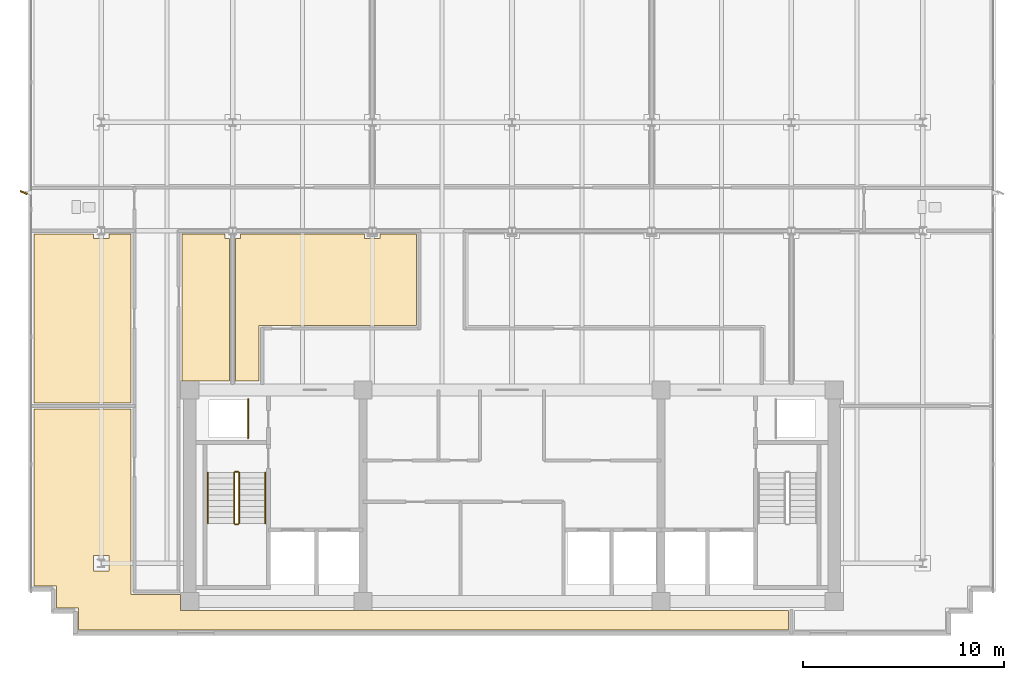
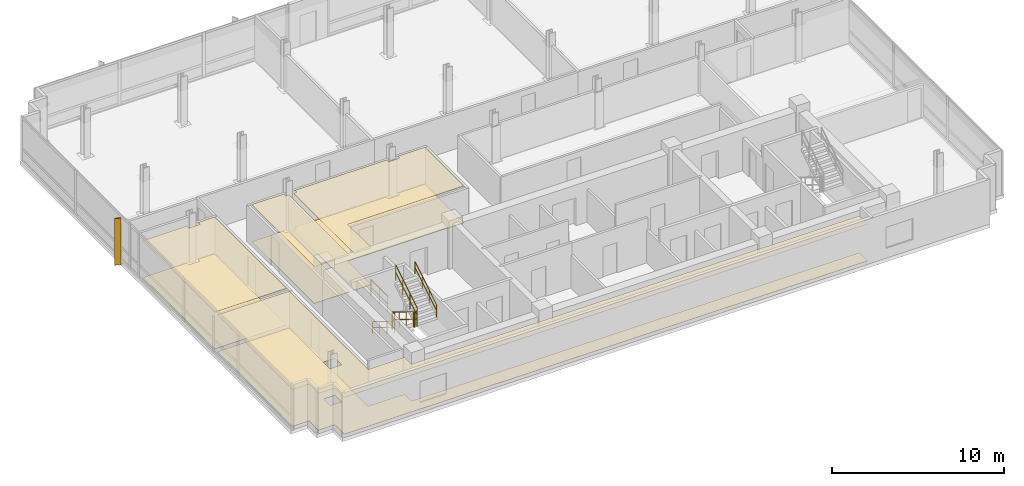
# One storey, part 11 of 15: 8 coverings, 7 railings, 1 shading device.
"""IFC4 building model written with IfcOpenShell, lengths in metres."""

from ifc_helpers import new_model, si_unit, direction, frame, origin, origin_2d, place, context, subcontext, project, spatial, polyline, rectangle, circle, outline, extrude, material, layer, layer_set, type_object, element, save


model = new_model("IFC4")

# Units and contexts
model_context = context("Model", 3, precision=1e-05, world=origin(), true_north=direction((0.0, 1.0)))
body_context = subcontext(model_context, "Body", "Model", "MODEL_VIEW")
ifc_project = project(units=[si_unit("LENGTHUNIT", "METRE"), si_unit("AREAUNIT", "SQUARE_METRE"), si_unit("VOLUMEUNIT", "CUBIC_METRE"), si_unit("PLANEANGLEUNIT", "RADIAN"), si_unit("MASSUNIT", "GRAM", prefix="KILO")], contexts=[model_context])

# Site, building, storey
site_placement = place(None, origin())
site = spatial("IfcSite", under=ifc_project, at=site_placement, CompositionType="ELEMENT")
building_placement = place(site_placement, origin())
building = spatial("IfcBuilding", under=site, at=building_placement, Name="Solmavex Isthmus Hotel", CompositionType="ELEMENT")
storey_placement = place(building_placement, frame((0.0, 0.0, 273.0)))
storey = spatial("IfcBuildingStorey", under=building, at=storey_placement, Name="L74", CompositionType="ELEMENT", Elevation=273.0)

# Coverings
ifc_material_1 = material(Name="Gypsum plasterboard lining", Category="gypsum")
ifc_layer_1 = layer(ifc_material_1, 0.030029296875)
ifc_layer_set_1 = layer_set([ifc_layer_1], Name="Gypsum plasterboard lining")
covering_type_1 = type_object("IfcCoveringType", Name="COV-CEIL-GYP", PredefinedType="CEILING", material=ifc_layer_set_1)
covering_1_placement = place(storey_placement, frame((0.0, 0.0, 2.6201171875)))
element("IfcCovering", 1, at=covering_1_placement, inside=storey, type_object=covering_type_1, Name="Suspended Acoustic Ceiling L74-FL06", PredefinedType="CEILING", context=body_context, shape_type="SweptSolid", body=[
    extrude(outline(polyline([(-16.39501953125, -2.044921875), (-14.027099609375, -2.044921875), (-14.027099609375, 5.02001953125), (-14.251953125, 5.02001953125), (-14.251953125, 5.2451171875), (-16.39501953125, 5.2451171875), (-16.39501953125, -2.044921875)])), origin(), (0.0, 0.0, 1.0), 0.02978515625),
])
covering_2_placement = place(storey_placement, frame((0.0, 0.0, 2.6201171875)))
element("IfcCovering", 2, at=covering_2_placement, inside=storey, type_object=covering_type_1, Name="Suspended Acoustic Ceiling L74-FL07", PredefinedType="CEILING", context=body_context, shape_type="SweptSolid", body=[
    extrude(outline(polyline([(-20.02001953125, 5.2451171875), (-20.02001953125, 5.02001953125), (-20.780029296875, 5.02001953125), (-20.780029296875, 5.2451171875), (-23.72509765625, 5.2451171875), (-23.72509765625, -3.14501953125), (-18.905029296875, -3.14501953125), (-18.905029296875, 5.2451171875), (-20.02001953125, 5.2451171875)])), origin(), (0.0, 0.0, 1.0), 0.02978515625),
])
covering_3_placement = place(storey_placement, frame((0.0, 0.0, 2.6201171875)))
element("IfcCovering", 3, at=covering_3_placement, inside=storey, type_object=covering_type_1, Name="Suspended Acoustic Ceiling L74-FL08", PredefinedType="CEILING", context=body_context, shape_type="SweptSolid", body=[
    extrude(outline(polyline([(-6.555908203125, 5.2451171875), (-6.555908203125, 5.02001953125), (-7.31591796875, 5.02001953125), (-7.31591796875, 5.2451171875), (-13.491943359375, 5.2451171875), (-13.491943359375, 5.02001953125), (-13.717041015625, 5.02001953125), (-13.717041015625, -2.044921875), (-12.554931640625, -2.044921875), (-12.554931640625, 0.705078125), (-4.742919921875, 0.705078125), (-4.742919921875, 5.2451171875), (-6.555908203125, 5.2451171875)])), origin(), (0.0, 0.0, 1.0), 0.02978515625),
])
covering_4_placement = place(storey_placement, frame((0.0, 0.0, 2.6201171875)))
element("IfcCovering", 4, at=covering_4_placement, inside=storey, type_object=covering_type_1, Name="Suspended Acoustic Ceiling L74-FL12", PredefinedType="CEILING", context=body_context, shape_type="SweptSolid", body=[
    extrude(outline(polyline([(-22.625, -13.324951171875), (-21.52490234375, -13.324951171875), (-21.52490234375, -14.425048828125), (13.717041015625, -14.425048828125), (13.717041015625, -13.455078125), (-16.455078125, -13.455078125), (-16.455078125, -12.655029296875), (-18.905029296875, -12.655029296875), (-18.905029296875, -3.455078125), (-23.72509765625, -3.455078125), (-23.72509765625, -12.22509765625), (-22.625, -12.22509765625), (-22.625, -13.324951171875)]), holes=[polyline([(-20.780029296875, -11.47998046875), (-20.780029296875, -10.719970703125), (-20.02001953125, -10.719970703125), (-20.02001953125, -11.47998046875), (-20.780029296875, -11.47998046875)])]), origin(), (0.0, 0.0, 1.0), 0.02978515625),
])
ifc_material_2 = material(Name="Travertine natural stone", Category="masonry")
ifc_layer_2 = layer(ifc_material_2, 0.02490234375)
ifc_layer_set_2 = layer_set([ifc_layer_2], Name="Travertine natural stone")
covering_type_2 = type_object("IfcCoveringType", Name="COV-FLOR-STN", PredefinedType="FLOORING", material=ifc_layer_set_2)
covering_5_placement = place(storey_placement, origin())
element("IfcCovering", 5, at=covering_5_placement, inside=storey, type_object=covering_type_2, Name="Stone and Timber Floor Finish L74-FL06", PredefinedType="FLOORING", context=body_context, shape_type="SweptSolid", body=[
    extrude(outline(polyline([(-16.39501953125, -2.044921875), (-14.027099609375, -2.044921875), (-14.027099609375, 5.02001953125), (-14.251953125, 5.02001953125), (-14.251953125, 5.2451171875), (-16.39501953125, 5.2451171875), (-16.39501953125, -2.044921875)])), origin(), (0.0, 0.0, 1.0), 0.02490234375),
])
covering_6_placement = place(storey_placement, origin())
element("IfcCovering", 6, at=covering_6_placement, inside=storey, type_object=covering_type_2, Name="Stone and Timber Floor Finish L74-FL07", PredefinedType="FLOORING", context=body_context, shape_type="SweptSolid", body=[
    extrude(outline(polyline([(-20.02001953125, 5.2451171875), (-20.02001953125, 5.02001953125), (-20.780029296875, 5.02001953125), (-20.780029296875, 5.2451171875), (-23.72509765625, 5.2451171875), (-23.72509765625, -3.14501953125), (-18.905029296875, -3.14501953125), (-18.905029296875, 5.2451171875), (-20.02001953125, 5.2451171875)])), origin(), (0.0, 0.0, 1.0), 0.02490234375),
])
covering_7_placement = place(storey_placement, origin())
element("IfcCovering", 7, at=covering_7_placement, inside=storey, type_object=covering_type_2, Name="Stone and Timber Floor Finish L74-FL08", PredefinedType="FLOORING", context=body_context, shape_type="SweptSolid", body=[
    extrude(outline(polyline([(-6.555908203125, 5.2451171875), (-6.555908203125, 5.02001953125), (-7.31591796875, 5.02001953125), (-7.31591796875, 5.2451171875), (-13.491943359375, 5.2451171875), (-13.491943359375, 5.02001953125), (-13.717041015625, 5.02001953125), (-13.717041015625, -2.044921875), (-12.554931640625, -2.044921875), (-12.554931640625, 0.705078125), (-4.742919921875, 0.705078125), (-4.742919921875, 5.2451171875), (-6.555908203125, 5.2451171875)])), origin(), (0.0, 0.0, 1.0), 0.02490234375),
])
covering_8_placement = place(storey_placement, origin())
element("IfcCovering", 8, at=covering_8_placement, inside=storey, type_object=covering_type_2, Name="Stone and Timber Floor Finish L74-FL12", PredefinedType="FLOORING", context=body_context, shape_type="SweptSolid", body=[
    extrude(outline(polyline([(-22.625, -13.324951171875), (-21.52490234375, -13.324951171875), (-21.52490234375, -14.425048828125), (13.717041015625, -14.425048828125), (13.717041015625, -13.455078125), (-16.455078125, -13.455078125), (-16.455078125, -12.655029296875), (-18.905029296875, -12.655029296875), (-18.905029296875, -3.455078125), (-23.72509765625, -3.455078125), (-23.72509765625, -12.22509765625), (-22.625, -12.22509765625), (-22.625, -13.324951171875)]), holes=[polyline([(-20.780029296875, -11.47998046875), (-20.780029296875, -10.719970703125), (-20.02001953125, -10.719970703125), (-20.02001953125, -11.47998046875), (-20.780029296875, -11.47998046875)])]), origin(), (0.0, 0.0, 1.0), 0.02490234375),
])

# Railings
ifc_material_3 = material(Name="Clear low-E laminated glass", Category="glass")
ifc_layer_3 = layer(ifc_material_3, 0.080078125)
ifc_layer_set_3 = layer_set([ifc_layer_3], Name="Clear low-E laminated glass")
railing_type_1 = type_object("IfcRailingType", Name="RAIL-ATRIUM-1120", PredefinedType="BALUSTRADE", material=ifc_layer_set_3)
railing_1_placement = place(storey_placement, frame((-13.10009765625, -4.89990234375, 0.0)))
element("IfcRailing", 9, at=railing_1_placement, inside=storey, type_object=railing_type_1, Name="Guardrail Balustrade L74-RSW-01", PredefinedType="BALUSTRADE", context=body_context, shape_type="SweptSolid", body=[
    extrude(circle(Radius=0.02392578125, at=origin_2d()), frame((0.0, 0.0, 1.1259765625), z_axis=(0.0, 1.0, 0.0), x_axis=(-1.0, 0.0, 0.0)), (0.0, 0.0, 1.0), 1.949951171875),
    extrude(circle(Radius=0.02392578125, at=origin_2d()), frame((0.0, 0.0, 0.574951171875), z_axis=(0.0, 1.0, 0.0), x_axis=(-1.0, 0.0, 0.0)), (0.0, 0.0, 1.0), 1.949951171875),
    extrude(circle(Radius=0.02099609375, at=origin_2d()), origin(), (0.0, 0.0, 1.0), 1.101806640625),
    extrude(circle(Radius=0.02099609375, at=origin_2d()), frame((0.0, 0.97509765625, 0.0)), (0.0, 0.0, 1.0), 1.101806640625),
    extrude(circle(Radius=0.02099609375, at=origin_2d()), frame((0.0, 1.949951171875, 0.0)), (0.0, 0.0, 1.0), 1.101806640625),
])
ifc_material_4 = material(Name="Stainless steel 316", Category="steel")
ifc_layer_4 = layer(ifc_material_4, 0.06005859375)
ifc_layer_set_4 = layer_set([ifc_layer_4], Name="Stainless steel 316")
railing_type_2 = type_object("IfcRailingType", Name="RAIL-STAIR-GD", PredefinedType="GUARDRAIL", material=ifc_layer_set_4)
railing_2_placement = place(storey_placement, frame((-13.800048828125, -6.60009765625, 0.172607421875)))
element("IfcRailing", 10, at=railing_2_placement, inside=storey, type_object=railing_type_2, Name="L74 ST-1 stair guard 1", PredefinedType="GUARDRAIL", context=body_context, shape_type="SweptSolid", body=[
    extrude(circle(Radius=0.02392578125, at=origin_2d()), frame((0.0, 0.0, 1.09619140625), z_axis=(0.0, -0.851400495292, 0.524516154772), x_axis=(1.0, 0.0, 0.0)), (0.0, 0.0, 1.0), 2.9599609375),
    extrude(circle(Radius=0.02392578125, at=origin_2d()), frame((0.0, 0.0, 0.56005859375), z_axis=(0.0, -0.851400495292, 0.524516154772), x_axis=(1.0, 0.0, 0.0)), (0.0, 0.0, 1.0), 2.9599609375),
    extrude(circle(Radius=0.02099609375, at=origin_2d()), origin(), (0.0, 0.0, 1.0), 1.072021484375),
    extrude(circle(Radius=0.02099609375, at=origin_2d()), frame((0.0, -0.840087890625, 0.517578125)), (0.0, 0.0, 1.0), 1.072021484375),
    extrude(circle(Radius=0.02099609375, at=origin_2d()), frame((0.0, -1.679931640625, 1.034912109375)), (0.0, 0.0, 1.0), 1.072021484375),
    extrude(circle(Radius=0.02099609375, at=origin_2d()), frame((0.0, -2.52001953125, 1.552490234375)), (0.0, 0.0, 1.0), 1.072021484375),
])
railing_3_placement = place(storey_placement, frame((-13.75, -9.169921875, 1.72509765625)))
element("IfcRailing", 11, at=railing_3_placement, inside=storey, type_object=railing_type_2, Name="L74 ST-1 stair guard 2", PredefinedType="GUARDRAIL", context=body_context, shape_type="SweptSolid", body=[
    extrude(circle(Radius=0.02392578125, at=origin_2d()), frame((0.0, 0.0, 1.09619140625), z_axis=(1.0, 0.0, 0.0), x_axis=(0.0, 1.0, 0.0)), (0.0, 0.0, 1.0), 0.14990234375),
    extrude(circle(Radius=0.02392578125, at=origin_2d()), frame((0.0, 0.0, 0.56005859375), z_axis=(1.0, 0.0, 0.0), x_axis=(0.0, 1.0, 0.0)), (0.0, 0.0, 1.0), 0.14990234375),
    extrude(circle(Radius=0.02099609375, at=origin_2d()), origin(), (0.0, 0.0, 1.0), 1.072021484375),
    extrude(circle(Radius=0.02099609375, at=origin_2d()), frame((0.14990234375, 0.0, 0.0)), (0.0, 0.0, 1.0), 1.072021484375),
])
railing_4_placement = place(storey_placement, frame((-13.550048828125, -9.1201171875, 1.8974609375)))
element("IfcRailing", 12, at=railing_4_placement, inside=storey, type_object=railing_type_2, Name="L74 ST-1 stair guard 3", PredefinedType="GUARDRAIL", context=body_context, shape_type="SweptSolid", body=[
    extrude(circle(Radius=0.02392578125, at=origin_2d()), frame((0.0, 0.0, 1.09619140625), z_axis=(0.0, 0.851400495292, 0.524516154772), x_axis=(-1.0, 0.0, 0.0)), (0.0, 0.0, 1.0), 2.9599609375),
    extrude(circle(Radius=0.02392578125, at=origin_2d()), frame((0.0, 0.0, 0.56005859375), z_axis=(0.0, 0.851400495292, 0.524516154772), x_axis=(-1.0, 0.0, 0.0)), (0.0, 0.0, 1.0), 2.9599609375),
    extrude(circle(Radius=0.02099609375, at=origin_2d()), origin(), (0.0, 0.0, 1.0), 1.072021484375),
    extrude(circle(Radius=0.02099609375, at=origin_2d()), frame((0.0, 0.840087890625, 0.517578125)), (0.0, 0.0, 1.0), 1.072021484375),
    extrude(circle(Radius=0.02099609375, at=origin_2d()), frame((0.0, 1.679931640625, 1.034912109375)), (0.0, 0.0, 1.0), 1.072021484375),
    extrude(circle(Radius=0.02099609375, at=origin_2d()), frame((0.0, 2.52001953125, 1.552490234375)), (0.0, 0.0, 1.0), 1.072021484375),
])
railing_5_placement = place(storey_placement, frame((-13.75, -6.550048828125, 0.0)))
element("IfcRailing", 13, at=railing_5_placement, inside=storey, type_object=railing_type_2, Name="L74 ST-1 stair guard 4", PredefinedType="GUARDRAIL", context=body_context, shape_type="SweptSolid", body=[
    extrude(circle(Radius=0.02392578125, at=origin_2d()), frame((0.0, 0.0, 1.09619140625), z_axis=(1.0, 0.0, 0.0), x_axis=(0.0, 1.0, 0.0)), (0.0, 0.0, 1.0), 0.14990234375),
    extrude(circle(Radius=0.02392578125, at=origin_2d()), frame((0.0, 0.0, 0.56005859375), z_axis=(1.0, 0.0, 0.0), x_axis=(0.0, 1.0, 0.0)), (0.0, 0.0, 1.0), 0.14990234375),
    extrude(circle(Radius=0.02099609375, at=origin_2d()), origin(), (0.0, 0.0, 1.0), 1.072021484375),
    extrude(circle(Radius=0.02099609375, at=origin_2d()), frame((0.14990234375, 0.0, 0.0)), (0.0, 0.0, 1.0), 1.072021484375),
])
ifc_layer_5 = layer(ifc_material_4, 0.050048828125)
ifc_layer_set_5 = layer_set([ifc_layer_5], Name="Stainless steel 316")
railing_type_3 = type_object("IfcRailingType", Name="RAIL-STAIR-HR", PredefinedType="HANDRAIL", material=ifc_layer_set_5)
railing_6_placement = place(storey_placement, frame((-15.10009765625, -6.60009765625, 0.172607421875)))
element("IfcRailing", 14, at=railing_6_placement, inside=storey, type_object=railing_type_3, Name="L74 ST-1 stair handrail 1", PredefinedType="HANDRAIL", context=body_context, shape_type="SweptSolid", body=[
    extrude(circle(Radius=0.02392578125, at=origin_2d()), frame((0.0, 0.0, 0.8759765625), z_axis=(0.0, -0.851400495292, 0.524516154772), x_axis=(1.0, 0.0, 0.0)), (0.0, 0.0, 1.0), 2.9599609375),
    extrude(circle(Radius=0.02392578125, at=origin_2d()), frame((0.0, 0.0, 0.449951171875), z_axis=(0.0, -0.851400495292, 0.524516154772), x_axis=(1.0, 0.0, 0.0)), (0.0, 0.0, 1.0), 2.9599609375),
    extrude(circle(Radius=0.02099609375, at=origin_2d()), origin(), (0.0, 0.0, 1.0), 0.851806640625),
    extrude(circle(Radius=0.02099609375, at=origin_2d()), frame((0.0, -0.840087890625, 0.517578125)), (0.0, 0.0, 1.0), 0.851806640625),
    extrude(circle(Radius=0.02099609375, at=origin_2d()), frame((0.0, -1.679931640625, 1.034912109375)), (0.0, 0.0, 1.0), 0.851806640625),
    extrude(circle(Radius=0.02099609375, at=origin_2d()), frame((0.0, -2.52001953125, 1.552490234375)), (0.0, 0.0, 1.0), 0.851806640625),
])
railing_7_placement = place(storey_placement, frame((-12.25, -9.1201171875, 1.8974609375)))
element("IfcRailing", 15, at=railing_7_placement, inside=storey, type_object=railing_type_3, Name="L74 ST-1 stair handrail 2", PredefinedType="HANDRAIL", context=body_context, shape_type="SweptSolid", body=[
    extrude(circle(Radius=0.02392578125, at=origin_2d()), frame((0.0, 0.0, 0.8759765625), z_axis=(0.0, 0.851400495292, 0.524516154772), x_axis=(-1.0, 0.0, 0.0)), (0.0, 0.0, 1.0), 2.9599609375),
    extrude(circle(Radius=0.02392578125, at=origin_2d()), frame((0.0, 0.0, 0.449951171875), z_axis=(0.0, 0.851400495292, 0.524516154772), x_axis=(-1.0, 0.0, 0.0)), (0.0, 0.0, 1.0), 2.9599609375),
    extrude(circle(Radius=0.02099609375, at=origin_2d()), origin(), (0.0, 0.0, 1.0), 0.851806640625),
    extrude(circle(Radius=0.02099609375, at=origin_2d()), frame((0.0, 0.840087890625, 0.517578125)), (0.0, 0.0, 1.0), 0.851806640625),
    extrude(circle(Radius=0.02099609375, at=origin_2d()), frame((0.0, 1.679931640625, 1.034912109375)), (0.0, 0.0, 1.0), 0.851806640625),
    extrude(circle(Radius=0.02099609375, at=origin_2d()), frame((0.0, 2.52001953125, 1.552490234375)), (0.0, 0.0, 1.0), 0.851806640625),
])

# Shading device
ifc_material_5 = material(Name="Aluminium alloy 6063-T6", Category="aluminium")
shading_device_type = type_object("IfcShadingDeviceType", Name="SHD-FIN-CHAMP", PredefinedType="USERDEFINED", material=ifc_material_5)
shading_device_placement = place(storey_placement, frame((-24.239990234375, 7.300048828125, -0.14013671875), z_axis=(0.0, 0.0, 1.0), x_axis=(-0.913545457643, 0.406736643076, 0.0)))
element("IfcShadingDevice", 16, at=shading_device_placement, inside=storey, type_object=shading_device_type, Name="Anodised Aluminium Solar Fin L74-W1", ObjectType="SOLAR_FIN", PredefinedType="USERDEFINED", context=body_context, shape_type="SweptSolid", body=[
    extrude(rectangle(XDim=0.3798828125, YDim=0.070068359375, at=origin_2d()), origin(), (0.0, 0.0, 1.0), 3.330078125),
])

save(model, "model.ifc")
